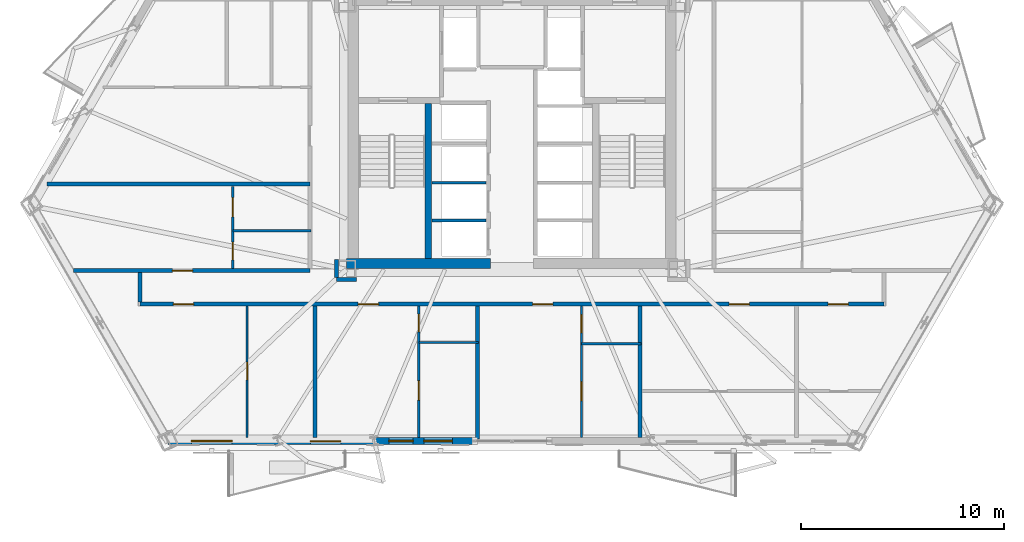
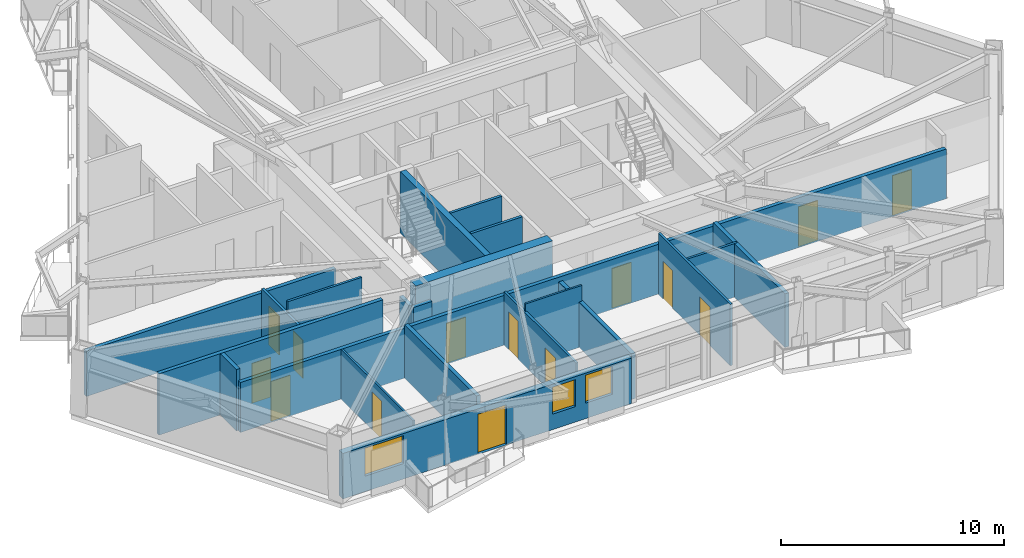
# One storey, part 9 of 17: 21 walls, 14 doors, 3 windows, 17 openings.
"""IFC4 building model written with IfcOpenShell, lengths in metres."""

from ifc_helpers import new_model, si_unit, direction, frame, frame_2d, origin, place, context, subcontext, project, spatial, rectangle, extrude, material, layer, layer_set, type_object, element, fill, save


model = new_model("IFC4")

# Units and contexts
model_context = context("Model", 3, precision=1e-05, world=origin(), true_north=direction((0.0, 1.0)))
body_context = subcontext(model_context, "Body", "Model", "MODEL_VIEW")
ifc_project = project(units=[si_unit("LENGTHUNIT", "METRE"), si_unit("AREAUNIT", "SQUARE_METRE"), si_unit("VOLUMEUNIT", "CUBIC_METRE"), si_unit("PLANEANGLEUNIT", "RADIAN"), si_unit("MASSUNIT", "GRAM", prefix="KILO")], contexts=[model_context])

# Site, building, storey
site_placement = place(None, origin())
site = spatial("IfcSite", under=ifc_project, at=site_placement, CompositionType="ELEMENT")
building_placement = place(site_placement, origin())
building = spatial("IfcBuilding", under=site, at=building_placement, Name="Oramaril Tower", CompositionType="ELEMENT")
storey_placement = place(building_placement, frame((0.0, 0.0, 70.5)))
storey = spatial("IfcBuildingStorey", under=building, at=storey_placement, Name="L18", CompositionType="ELEMENT", Elevation=70.5)

# Wall, openings, door, windows
ifc_material_1 = material(Name="Warm Cream Limestone", Category="masonry")
ifc_layer_1 = layer(ifc_material_1, 0.340087890625)
ifc_layer_set_1 = layer_set([ifc_layer_1], Name="WT-EXT34")
wall_type_1 = type_object("IfcWallType", Name="WT-EXT34", PredefinedType="SOLIDWALL", material=ifc_layer_set_1)
wall_1_placement = place(storey_placement, frame((20.57421875, 2.560546875, 0.0), z_axis=(0.0, 0.0, 1.0), x_axis=(1.0, 0.0, 0.0)))
wall_1 = element("IfcWall", 1, at=wall_1_placement, inside=storey, type_object=wall_type_1, Name="L18 Tower Limestone Facade Wall 2L", PredefinedType="SOLIDWALL", context=body_context, shape_type="SweptSolid", body=[
    extrude(rectangle(XDim=14.975830078125, YDim=0.340087890625, at=frame_2d((7.48779296875, 0.0))), origin(), (0.0, 0.0, 1.0), 2.493896484375),
])
opening_1_placement = place(wall_1_placement, frame((6.99951171875, 0.0, 0.0)))
opening_1 = element("IfcOpeningElement", 2, at=opening_1_placement, cuts=wall_1, Name="Opening D-L18-BAL-S1", PredefinedType="OPENING", context=body_context, shape_type="SweptSolid", body=[
    extrude(rectangle(XDim=1.5, YDim=2.199951171875, at=frame_2d((0.75, 1.10009765625))), frame((0.0, 0.169921875, 0.0), z_axis=(0.0, -1.0, 0.0), x_axis=(1.0, 0.0, 0.0)), (0.0, 0.0, 1.0), 0.340087890625),
])
opening_2_placement = place(wall_1_placement, frame((1.149169921875, 0.0, 0.85009765625)))
opening_2 = element("IfcOpeningElement", 3, at=opening_2_placement, cuts=wall_1, Name="Opening WN-05", PredefinedType="OPENING", context=body_context, shape_type="SweptSolid", body=[
    extrude(rectangle(XDim=2.0, YDim=1.533935546875, at=frame_2d((1.0, 0.76708984375))), frame((0.0, 0.169921875, 0.0), z_axis=(0.0, -1.0, 0.0), x_axis=(1.0, 0.0, 0.0)), (0.0, 0.0, 1.0), 0.340087890625),
])
opening_3_placement = place(wall_1_placement, frame((10.864990234375, 0.0, 0.85009765625)))
opening_3 = element("IfcOpeningElement", 4, at=opening_3_placement, cuts=wall_1, Name="Opening WN-09", PredefinedType="OPENING", context=body_context, shape_type="SweptSolid", body=[
    extrude(rectangle(XDim=1.199951171875, YDim=1.47998046875, at=frame_2d((0.60009765625, 0.739990234375))), frame((0.0, 0.169921875, 0.0), z_axis=(0.0, -1.0, 0.0), x_axis=(1.0, 0.0, 0.0)), (0.0, 0.0, 1.0), 0.340087890625),
])
opening_4_placement = place(wall_1_placement, frame((12.5927734375, 0.0, 0.85009765625)))
opening_4 = element("IfcOpeningElement", 5, at=opening_4_placement, cuts=wall_1, Name="Opening WN-08", PredefinedType="OPENING", context=body_context, shape_type="SweptSolid", body=[
    extrude(rectangle(XDim=1.39990234375, YDim=1.533935546875, at=frame_2d((0.699951171875, 0.76708984375))), frame((0.0, 0.169921875, 0.0), z_axis=(0.0, -1.0, 0.0), x_axis=(1.0, 0.0, 0.0)), (0.0, 0.0, 1.0), 0.340087890625),
])
ifc_material_2 = material(Name="Anodised Aluminium 6063-T6", Category="aluminium")
door_type_1 = type_object("IfcDoorType", Name="DT-BAL", OperationType="NOTDEFINED", PredefinedType="DOOR", material=ifc_material_2)
door_1_placement = place(opening_1_placement, origin())
door_1 = element("IfcDoor", 6, at=door_1_placement, inside=storey, type_object=door_type_1, Name="L18 Balcony Glazed Door L18-BAL-S1", OperationType="SINGLE_SWING_LEFT", OverallHeight=2.199951171875, OverallWidth=1.5, PredefinedType="DOOR", context=body_context, shape_type="SweptSolid", body=[
    extrude(rectangle(XDim=1.5, YDim=2.199951171875, at=frame_2d((0.75, 1.10009765625))), frame((0.0, 0.02490234375, 0.0), z_axis=(0.0, -1.0, 0.0), x_axis=(1.0, 0.0, 0.0)), (0.0, 0.0, 1.0), 0.050048828125),
])
fill(opening_1, door_1)
ifc_material_3 = material(Name="Coastal Low-E Insulated Glass", Category="glass")
window_type_1 = type_object("IfcWindowType", Name="WNT-05", PartitioningType="SINGLE_PANEL", PredefinedType="WINDOW", material=ifc_material_3)
window_1_placement = place(opening_2_placement, origin())
window_1 = element("IfcWindow", 7, at=window_1_placement, inside=storey, type_object=window_type_1, Name="L18 Chicago Bay Window WN-05", OverallHeight=1.533935546875, OverallWidth=2.0, PartitioningType="SINGLE_PANEL", PredefinedType="WINDOW", context=body_context, shape_type="SweptSolid", body=[
    extrude(rectangle(XDim=2.0, YDim=1.533935546875, at=frame_2d((1.0, 0.76708984375))), frame((0.0, 0.030029296875, 0.0), z_axis=(0.0, -1.0, 0.0), x_axis=(1.0, 0.0, 0.0)), (0.0, 0.0, 1.0), 0.06005859375),
])
fill(opening_2, window_1)
ifc_material_4 = material(Name="Coastal Low-E Insulated Glass", Category="glass")
window_type_2 = type_object("IfcWindowType", Name="WNT-08", PartitioningType="SINGLE_PANEL", PredefinedType="WINDOW", material=ifc_material_4)
window_2_placement = place(opening_4_placement, origin())
window_2 = element("IfcWindow", 8, at=window_2_placement, inside=storey, type_object=window_type_2, Name="L18 Chicago Bay Window WN-08", OverallHeight=1.533935546875, OverallWidth=1.39990234375, PartitioningType="SINGLE_PANEL", PredefinedType="WINDOW", context=body_context, shape_type="SweptSolid", body=[
    extrude(rectangle(XDim=1.39990234375, YDim=1.533935546875, at=frame_2d((0.699951171875, 0.76708984375))), frame((0.0, 0.030029296875, 0.0), z_axis=(0.0, -1.0, 0.0), x_axis=(1.0, 0.0, 0.0)), (0.0, 0.0, 1.0), 0.06005859375),
])
fill(opening_4, window_2)
ifc_material_5 = material(Name="Coastal Low-E Insulated Glass", Category="glass")
window_type_3 = type_object("IfcWindowType", Name="WNT-09", PartitioningType="SINGLE_PANEL", PredefinedType="WINDOW", material=ifc_material_5)
window_3_placement = place(opening_3_placement, origin())
window_3 = element("IfcWindow", 9, at=window_3_placement, inside=storey, type_object=window_type_3, Name="L18 Chicago Bay Window WN-09", OverallHeight=1.47998046875, OverallWidth=1.199951171875, PartitioningType="SINGLE_PANEL", PredefinedType="WINDOW", context=body_context, shape_type="SweptSolid", body=[
    extrude(rectangle(XDim=1.199951171875, YDim=1.47998046875, at=frame_2d((0.60009765625, 0.739990234375))), frame((0.0, 0.030029296875, 0.0), z_axis=(0.0, -1.0, 0.0), x_axis=(1.0, 0.0, 0.0)), (0.0, 0.0, 1.0), 0.06005859375),
])
fill(opening_3, window_3)

# Wall
ifc_material_6 = material(Name="Acoustic Gypsum Board Partition")
ifc_layer_2 = layer(ifc_material_6, 0.10009765625)
ifc_layer_set_2 = layer_set([ifc_layer_2], Name="WT-PT10")
wall_type_2 = type_object("IfcWallType", Name="WT-PT10", PredefinedType="PARTITIONING", material=ifc_layer_set_2)
wall_2_placement = place(storey_placement, frame((32.919921875, 7.409912109375, 0.0), z_axis=(0.0, 0.0, 1.0), x_axis=(1.0, 0.0, 0.0)))
element("IfcWall", 10, at=wall_2_placement, inside=storey, type_object=wall_type_2, Name="L18 Interior Partition PT-10", PredefinedType="PARTITIONING", context=body_context, shape_type="SweptSolid", body=[
    extrude(rectangle(XDim=2.93017578125, YDim=0.10009765625, at=frame_2d((1.465087890625, 0.0))), origin(), (0.0, 0.0, 1.0), 3.360107421875),
])

# Wall, opening, door
wall_3_placement = place(storey_placement, frame((24.469970703125, 2.734619140625, 0.0), z_axis=(0.0, 0.0, 1.0), x_axis=(0.0, 1.0, 0.0)))
wall_3 = element("IfcWall", 11, at=wall_3_placement, inside=storey, type_object=wall_type_2, Name="L18 Interior Partition PT-10", PredefinedType="PARTITIONING", context=body_context, shape_type="SweptSolid", body=[
    extrude(rectangle(XDim=6.46142578125, YDim=0.10009765625, at=frame_2d((3.230712890625, 0.0))), origin(), (0.0, 0.0, 1.0), 2.738037109375),
])
opening_5_placement = place(wall_3_placement, frame((2.830810546875, 0.0, 0.0)))
opening_5 = element("IfcOpeningElement", 12, at=opening_5_placement, cuts=wall_3, Name="Opening D-L18-20", PredefinedType="OPENING", context=body_context, shape_type="SweptSolid", body=[
    extrude(rectangle(XDim=0.8798828125, YDim=2.080078125, at=frame_2d((0.43994140625, 1.0400390625))), frame((0.0, 0.050048828125, 0.0), z_axis=(0.0, -1.0, 0.0), x_axis=(1.0, 0.0, 0.0)), (0.0, 0.0, 1.0), 0.10009765625),
])
ifc_material_7 = material(Name="FSC Brazilian Freijo Hardwood", Category="wood")
door_type_2 = type_object("IfcDoorType", Name="DT-BATH", OperationType="NOTDEFINED", PredefinedType="DOOR", material=ifc_material_7)
door_2_placement = place(opening_5_placement, origin())
door_2 = element("IfcDoor", 13, at=door_2_placement, inside=storey, type_object=door_type_2, Name="L18 Flat L18-U1 Bathroom Door D-L18-20", OperationType="SINGLE_SWING_LEFT", OverallHeight=2.080078125, OverallWidth=0.8798828125, PredefinedType="DOOR", context=body_context, shape_type="SweptSolid", body=[
    extrude(rectangle(XDim=0.8798828125, YDim=2.080078125, at=frame_2d((0.43994140625, 1.0400390625))), frame((0.0, 0.02490234375, 0.0), z_axis=(0.0, -1.0, 0.0), x_axis=(1.0, 0.0, 0.0)), (0.0, 0.0, 1.0), 0.050048828125),
])
fill(opening_5, door_2)

# Walls
ifc_material_8 = material(Name="Acoustic Gypsum Board Partition")
ifc_layer_3 = layer(ifc_material_8, 0.1201171875)
ifc_layer_set_3 = layer_set([ifc_layer_3], Name="WT-PT12")
wall_type_3 = type_object("IfcWallType", Name="WT-PT12", PredefinedType="PARTITIONING", material=ifc_layer_set_3)
wall_4_placement = place(storey_placement, frame((40.919921875, 7.340087890625, 0.0), z_axis=(0.0, 0.0, 1.0), x_axis=(1.0, 0.0, 0.0)))
element("IfcWall", 14, at=wall_4_placement, inside=storey, type_object=wall_type_3, Name="L18 Interior Partition PT-12", PredefinedType="PARTITIONING", context=body_context, shape_type="SweptSolid", body=[
    extrude(rectangle(XDim=2.93017578125, YDim=0.1201171875, at=frame_2d((1.465087890625, 0.0))), origin(), (0.0, 0.0, 1.0), 2.946044921875),
])
wall_5_placement = place(storey_placement, frame((23.76171875, 12.909912109375, 0.0), z_axis=(0.0, 0.0, 1.0), x_axis=(1.0, 0.0, 0.0)))
element("IfcWall", 15, at=wall_5_placement, inside=storey, type_object=wall_type_3, Name="L18 Interior Partition PT-12", PredefinedType="PARTITIONING", context=body_context, shape_type="SweptSolid", body=[
    extrude(rectangle(XDim=3.83837890625, YDim=0.1201171875, at=frame_2d((1.919189453125, 0.0))), origin(), (0.0, 0.0, 1.0), 3.360107421875),
])

# Wall, openings, doors
wall_6_placement = place(storey_placement, frame((32.919921875, 2.734619140625, 0.0), z_axis=(0.0, 0.0, 1.0), x_axis=(0.0, 1.0, 0.0)))
wall_6 = element("IfcWall", 16, at=wall_6_placement, inside=storey, type_object=wall_type_3, Name="L18 Interior Partition PT-12", PredefinedType="PARTITIONING", context=body_context, shape_type="SweptSolid", body=[
    extrude(rectangle(XDim=6.46142578125, YDim=0.1201171875, at=frame_2d((3.230712890625, 0.0))), origin(), (0.0, 0.0, 1.0), 2.946044921875),
])
opening_6_placement = place(wall_6_placement, frame((1.835693359375, 0.0, 0.0)))
opening_6 = element("IfcOpeningElement", 17, at=opening_6_placement, cuts=wall_6, Name="Opening D-L18-22", PredefinedType="OPENING", context=body_context, shape_type="SweptSolid", body=[
    extrude(rectangle(XDim=0.949951171875, YDim=2.10009765625, at=frame_2d((0.47509765625, 1.050048828125))), frame((0.0, 0.06005859375, 0.0), z_axis=(0.0, -1.0, 0.0), x_axis=(1.0, 0.0, 0.0)), (0.0, 0.0, 1.0), 0.1201171875),
])
opening_7_placement = place(wall_6_placement, frame((5.1953125, 0.0, 0.0)))
opening_7 = element("IfcOpeningElement", 18, at=opening_7_placement, cuts=wall_6, Name="Opening D-L18-23", PredefinedType="OPENING", context=body_context, shape_type="SweptSolid", body=[
    extrude(rectangle(XDim=0.8798828125, YDim=2.080078125, at=frame_2d((0.43994140625, 1.0400390625))), frame((0.0, 0.06005859375, 0.0), z_axis=(0.0, -1.0, 0.0), x_axis=(1.0, 0.0, 0.0)), (0.0, 0.0, 1.0), 0.1201171875),
])
door_3_placement = place(opening_7_placement, origin())
door_3 = element("IfcDoor", 19, at=door_3_placement, inside=storey, type_object=door_type_2, Name="L18 Flat L18-U2 Bathroom Door D-L18-23", OperationType="SINGLE_SWING_RIGHT", OverallHeight=2.080078125, OverallWidth=0.8798828125, PredefinedType="DOOR", context=body_context, shape_type="SweptSolid", body=[
    extrude(rectangle(XDim=0.8798828125, YDim=2.080078125, at=frame_2d((0.43994140625, 1.0400390625))), frame((0.0, 0.02490234375, 0.0), z_axis=(0.0, -1.0, 0.0), x_axis=(1.0, 0.0, 0.0)), (0.0, 0.0, 1.0), 0.050048828125),
])
fill(opening_7, door_3)
ifc_material_9 = material(Name="FSC Brazilian Freijo Hardwood", Category="wood")
door_type_3 = type_object("IfcDoorType", Name="DT-STDY", OperationType="NOTDEFINED", PredefinedType="DOOR", material=ifc_material_9)
door_4_placement = place(opening_6_placement, origin())
door_4 = element("IfcDoor", 20, at=door_4_placement, inside=storey, type_object=door_type_3, Name="L18 Flat L18-U2 Kitchen Door D-L18-22", OperationType="SINGLE_SWING_LEFT", OverallHeight=2.10009765625, OverallWidth=0.949951171875, PredefinedType="DOOR", context=body_context, shape_type="SweptSolid", body=[
    extrude(rectangle(XDim=0.949951171875, YDim=2.10009765625, at=frame_2d((0.47509765625, 1.050048828125))), frame((0.0, 0.02490234375, 0.0), z_axis=(0.0, -1.0, 0.0), x_axis=(1.0, 0.0, 0.0)), (0.0, 0.0, 1.0), 0.050048828125),
])
fill(opening_6, door_4)

wall_7_placement = place(storey_placement, frame((40.919921875, 2.734619140625, 0.0), z_axis=(0.0, 0.0, 1.0), x_axis=(0.0, 1.0, 0.0)))
wall_7 = element("IfcWall", 21, at=wall_7_placement, inside=storey, type_object=wall_type_3, Name="L18 Interior Partition PT-12", PredefinedType="PARTITIONING", context=body_context, shape_type="SweptSolid", body=[
    extrude(rectangle(XDim=6.46142578125, YDim=0.1201171875, at=frame_2d((3.230712890625, 0.0))), origin(), (0.0, 0.0, 1.0), 3.360107421875),
])
opening_8_placement = place(wall_7_placement, frame((1.800537109375, 0.0, 0.0)))
opening_8 = element("IfcOpeningElement", 22, at=opening_8_placement, cuts=wall_7, Name="Opening D-L18-30", PredefinedType="OPENING", context=body_context, shape_type="SweptSolid", body=[
    extrude(rectangle(XDim=0.949951171875, YDim=2.10009765625, at=frame_2d((0.47509765625, 1.050048828125))), frame((0.0, 0.06005859375, 0.0), z_axis=(0.0, -1.0, 0.0), x_axis=(1.0, 0.0, 0.0)), (0.0, 0.0, 1.0), 0.1201171875),
])
opening_9_placement = place(wall_7_placement, frame((5.160400390625, 0.0, 0.0)))
opening_9 = element("IfcOpeningElement", 23, at=opening_9_placement, cuts=wall_7, Name="Opening D-L18-31", PredefinedType="OPENING", context=body_context, shape_type="SweptSolid", body=[
    extrude(rectangle(XDim=0.8798828125, YDim=2.080078125, at=frame_2d((0.43994140625, 1.0400390625))), frame((0.0, 0.06005859375, 0.0), z_axis=(0.0, -1.0, 0.0), x_axis=(1.0, 0.0, 0.0)), (0.0, 0.0, 1.0), 0.1201171875),
])
door_5_placement = place(opening_9_placement, origin())
door_5 = element("IfcDoor", 24, at=door_5_placement, inside=storey, type_object=door_type_2, Name="L18 Flat L18-U3 Bathroom Door D-L18-31", OperationType="SINGLE_SWING_RIGHT", OverallHeight=2.080078125, OverallWidth=0.8798828125, PredefinedType="DOOR", context=body_context, shape_type="SweptSolid", body=[
    extrude(rectangle(XDim=0.8798828125, YDim=2.080078125, at=frame_2d((0.43994140625, 1.0400390625))), frame((0.0, 0.02490234375, 0.0), z_axis=(0.0, -1.0, 0.0), x_axis=(1.0, 0.0, 0.0)), (0.0, 0.0, 1.0), 0.050048828125),
])
fill(opening_9, door_5)
door_6_placement = place(opening_8_placement, origin())
door_6 = element("IfcDoor", 25, at=door_6_placement, inside=storey, type_object=door_type_3, Name="L18 Flat L18-U3 Kitchen Door D-L18-30", OperationType="SINGLE_SWING_LEFT", OverallHeight=2.10009765625, OverallWidth=0.949951171875, PredefinedType="DOOR", context=body_context, shape_type="SweptSolid", body=[
    extrude(rectangle(XDim=0.949951171875, YDim=2.10009765625, at=frame_2d((0.47509765625, 1.050048828125))), frame((0.0, 0.02490234375, 0.0), z_axis=(0.0, -1.0, 0.0), x_axis=(1.0, 0.0, 0.0)), (0.0, 0.0, 1.0), 0.050048828125),
])
fill(opening_8, door_6)

# Walls
ifc_material_10 = material(Name="Acoustic Gypsum Board Partition")
ifc_layer_4 = layer(ifc_material_10, 0.139892578125)
ifc_layer_set_4 = layer_set([ifc_layer_4], Name="WT-PT14")
wall_type_4 = type_object("IfcWallType", Name="WT-PT14", PredefinedType="PARTITIONING", material=ifc_layer_set_4)
for number, where, z_axis, x_axis, name in (
    (26, (33.56005859375, 13.419921875, 0.0), (0.0, 0.0, 1.0), (1.0, 0.0, 0.0), "L18 West Lift Divider"),
    (27, (33.56005859375, 15.27001953125, 0.0), (0.0, 0.0, 1.0), (1.0, 0.0, 0.0), "L18 West Lift Divider"),
):
    element("IfcWall", number, at=place(storey_placement, frame(where, z_axis=z_axis, x_axis=x_axis)), inside=storey, type_object=wall_type_4, Name=name, PredefinedType="PARTITIONING", context=body_context, shape_type="SweptSolid", body=[
        extrude(rectangle(XDim=2.659912109375, YDim=0.139892578125, at=frame_2d((1.330078125, 0.0))), origin(), (0.0, 0.0, 1.0), 3.360107421875),
    ])

# Wall, openings, doors
wall_8_placement = place(storey_placement, frame((23.760009765625, 11.053955078125, 0.0), z_axis=(0.0, 0.0, 1.0), x_axis=(0.0, 1.0, 0.0)))
wall_8 = element("IfcWall", 28, at=wall_8_placement, inside=storey, type_object=wall_type_4, Name="L18 Interior Partition PT-14", PredefinedType="PARTITIONING", context=body_context, shape_type="SweptSolid", body=[
    extrude(rectangle(XDim=4.0419921875, YDim=0.139892578125, at=frame_2d((2.02099609375, 0.0))), origin(), (0.0, 0.0, 1.0), 2.738037109375),
])
opening_10_placement = place(wall_8_placement, frame((0.419189453125, 0.0, 0.0)))
opening_10 = element("IfcOpeningElement", 29, at=opening_10_placement, cuts=wall_8, Name="Opening D-L18-16", PredefinedType="OPENING", context=body_context, shape_type="SweptSolid", body=[
    extrude(rectangle(XDim=0.8798828125, YDim=2.080078125, at=frame_2d((0.43994140625, 1.0400390625))), frame((0.0, 0.06982421875, 0.0), z_axis=(0.0, -1.0, 0.0), x_axis=(1.0, 0.0, 0.0)), (0.0, 0.0, 1.0), 0.139892578125),
])
opening_11_placement = place(wall_8_placement, frame((2.539306640625, 0.0, 0.0)))
opening_11 = element("IfcOpeningElement", 30, at=opening_11_placement, cuts=wall_8, Name="Opening D-L18-17", PredefinedType="OPENING", context=body_context, shape_type="SweptSolid", body=[
    extrude(rectangle(XDim=0.949951171875, YDim=2.10009765625, at=frame_2d((0.47509765625, 1.050048828125))), frame((0.0, 0.06982421875, 0.0), z_axis=(0.0, -1.0, 0.0), x_axis=(1.0, 0.0, 0.0)), (0.0, 0.0, 1.0), 0.139892578125),
])
door_7_placement = place(opening_10_placement, origin())
door_7 = element("IfcDoor", 31, at=door_7_placement, inside=storey, type_object=door_type_2, Name="L18 Flat L18-U6 Bathroom Door D-L18-16", OperationType="SINGLE_SWING_LEFT", OverallHeight=2.080078125, OverallWidth=0.8798828125, PredefinedType="DOOR", context=body_context, shape_type="SweptSolid", body=[
    extrude(rectangle(XDim=0.8798828125, YDim=2.080078125, at=frame_2d((0.43994140625, 1.0400390625))), frame((0.0, 0.02490234375, 0.0), z_axis=(0.0, -1.0, 0.0), x_axis=(1.0, 0.0, 0.0)), (0.0, 0.0, 1.0), 0.050048828125),
])
fill(opening_10, door_7)
door_8_placement = place(opening_11_placement, origin())
door_8 = element("IfcDoor", 32, at=door_8_placement, inside=storey, type_object=door_type_3, Name="L18 Flat L18-U6 Kitchen Door D-L18-17", OperationType="SINGLE_SWING_RIGHT", OverallHeight=2.10009765625, OverallWidth=0.949951171875, PredefinedType="DOOR", context=body_context, shape_type="SweptSolid", body=[
    extrude(rectangle(XDim=0.949951171875, YDim=2.10009765625, at=frame_2d((0.47509765625, 1.050048828125))), frame((0.0, 0.02490234375, 0.0), z_axis=(0.0, -1.0, 0.0), x_axis=(1.0, 0.0, 0.0)), (0.0, 0.0, 1.0), 0.050048828125),
])
fill(opening_11, door_8)

ifc_material_11 = material(Name="Autoclaved Cellular Concrete Block", Category="concrete")
ifc_layer_5 = layer(ifc_material_11, 0.199951171875)
ifc_layer_set_5 = layer_set([ifc_layer_5], Name="WT-PT20")
wall_type_5 = type_object("IfcWallType", Name="WT-PT20", PredefinedType="PARTITIONING", material=ifc_layer_set_5)
wall_9_placement = place(storey_placement, frame((19.199951171875, 9.300048828125, 0.0), z_axis=(0.0, 0.0, 1.0), x_axis=(1.0, 0.0, 0.0)))
wall_9 = element("IfcWall", 33, at=wall_9_placement, inside=storey, type_object=wall_type_5, Name="L18 Interior Partition PT-20", PredefinedType="PARTITIONING", context=body_context, shape_type="SweptSolid", body=[
    extrude(rectangle(XDim=36.60009765625, YDim=0.199951171875, at=frame_2d((18.300048828125, 0.0))), origin(), (0.0, 0.0, 1.0), 2.738037109375),
])
opening_12_placement = place(wall_9_placement, frame((1.633056640625, 0.0, 0.0)))
opening_12 = element("IfcOpeningElement", 34, at=opening_12_placement, cuts=wall_9, Name="Opening D-L18-03", PredefinedType="OPENING", context=body_context, shape_type="SweptSolid", body=[
    extrude(rectangle(XDim=1.0, YDim=2.179931640625, at=frame_2d((0.5, 1.08984375))), frame((0.0, 0.10009765625, 0.0), z_axis=(0.0, -1.0, 0.0), x_axis=(1.0, 0.0, 0.0)), (0.0, 0.0, 1.0), 0.199951171875),
])
opening_13_placement = place(wall_9_placement, frame((10.732666015625, 0.0, 0.0)))
opening_13 = element("IfcOpeningElement", 35, at=opening_13_placement, cuts=wall_9, Name="Opening D-L18-04", PredefinedType="OPENING", context=body_context, shape_type="SweptSolid", body=[
    extrude(rectangle(XDim=1.0, YDim=2.179931640625, at=frame_2d((0.5, 1.08984375))), frame((0.0, 0.10009765625, 0.0), z_axis=(0.0, -1.0, 0.0), x_axis=(1.0, 0.0, 0.0)), (0.0, 0.0, 1.0), 0.199951171875),
])
opening_14_placement = place(wall_9_placement, frame((19.31396484375, 0.0, 0.0)))
opening_14 = element("IfcOpeningElement", 36, at=opening_14_placement, cuts=wall_9, Name="Opening D-L18-05", PredefinedType="OPENING", context=body_context, shape_type="SweptSolid", body=[
    extrude(rectangle(XDim=1.0, YDim=2.179931640625, at=frame_2d((0.5, 1.08984375))), frame((0.0, 0.10009765625, 0.0), z_axis=(0.0, -1.0, 0.0), x_axis=(1.0, 0.0, 0.0)), (0.0, 0.0, 1.0), 0.199951171875),
])
opening_15_placement = place(wall_9_placement, frame((28.984619140625, 0.0, 0.0)))
opening_15 = element("IfcOpeningElement", 37, at=opening_15_placement, cuts=wall_9, Name="Opening D-L18-06", PredefinedType="OPENING", context=body_context, shape_type="SweptSolid", body=[
    extrude(rectangle(XDim=1.0, YDim=2.179931640625, at=frame_2d((0.5, 1.08984375))), frame((0.0, 0.10009765625, 0.0), z_axis=(0.0, -1.0, 0.0), x_axis=(1.0, 0.0, 0.0)), (0.0, 0.0, 1.0), 0.199951171875),
])
opening_16_placement = place(wall_9_placement, frame((33.856201171875, 0.0, 0.0)))
opening_16 = element("IfcOpeningElement", 38, at=opening_16_placement, cuts=wall_9, Name="Opening D-L18-07", PredefinedType="OPENING", context=body_context, shape_type="SweptSolid", body=[
    extrude(rectangle(XDim=1.0, YDim=2.179931640625, at=frame_2d((0.5, 1.08984375))), frame((0.0, 0.10009765625, 0.0), z_axis=(0.0, -1.0, 0.0), x_axis=(1.0, 0.0, 0.0)), (0.0, 0.0, 1.0), 0.199951171875),
])
ifc_material_12 = material(Name="FSC Brazilian Freijo Hardwood", Category="wood")
door_type_4 = type_object("IfcDoorType", Name="DT-APT", OperationType="NOTDEFINED", PredefinedType="DOOR", material=ifc_material_12)
door_9_placement = place(opening_12_placement, origin())
door_9 = element("IfcDoor", 39, at=door_9_placement, inside=storey, type_object=door_type_4, Name="L18 Flat L18-U1 Kitchen and Studio Apartment Door D-L18-03", OperationType="SINGLE_SWING_RIGHT", OverallHeight=2.179931640625, OverallWidth=1.0, PredefinedType="DOOR", context=body_context, shape_type="SweptSolid", body=[
    extrude(rectangle(XDim=1.0, YDim=2.179931640625, at=frame_2d((0.5, 1.08984375))), frame((0.0, 0.02490234375, 0.0), z_axis=(0.0, -1.0, 0.0), x_axis=(1.0, 0.0, 0.0)), (0.0, 0.0, 1.0), 0.050048828125),
])
fill(opening_12, door_9)
door_10_placement = place(opening_13_placement, origin())
door_10 = element("IfcDoor", 40, at=door_10_placement, inside=storey, type_object=door_type_4, Name="L18 Flat L18-U2 Studio Apartment Door D-L18-04", OperationType="SINGLE_SWING_LEFT", OverallHeight=2.179931640625, OverallWidth=1.0, PredefinedType="DOOR", context=body_context, shape_type="SweptSolid", body=[
    extrude(rectangle(XDim=1.0, YDim=2.179931640625, at=frame_2d((0.5, 1.08984375))), frame((0.0, 0.02490234375, 0.0), z_axis=(0.0, -1.0, 0.0), x_axis=(1.0, 0.0, 0.0)), (0.0, 0.0, 1.0), 0.050048828125),
])
fill(opening_13, door_10)
door_11_placement = place(opening_14_placement, origin())
door_11 = element("IfcDoor", 41, at=door_11_placement, inside=storey, type_object=door_type_4, Name="L18 Flat L18-U3 Studio Apartment Door D-L18-05", OperationType="SINGLE_SWING_RIGHT", OverallHeight=2.179931640625, OverallWidth=1.0, PredefinedType="DOOR", context=body_context, shape_type="SweptSolid", body=[
    extrude(rectangle(XDim=1.0, YDim=2.179931640625, at=frame_2d((0.5, 1.08984375))), frame((0.0, 0.02490234375, 0.0), z_axis=(0.0, -1.0, 0.0), x_axis=(1.0, 0.0, 0.0)), (0.0, 0.0, 1.0), 0.050048828125),
])
fill(opening_14, door_11)
door_12_placement = place(opening_15_placement, origin())
door_12 = element("IfcDoor", 42, at=door_12_placement, inside=storey, type_object=door_type_4, Name="L18 Flat L18-U4 Kitchen and Studio Apartment Door D-L18-06", OperationType="SINGLE_SWING_LEFT", OverallHeight=2.179931640625, OverallWidth=1.0, PredefinedType="DOOR", context=body_context, shape_type="SweptSolid", body=[
    extrude(rectangle(XDim=1.0, YDim=2.179931640625, at=frame_2d((0.5, 1.08984375))), frame((0.0, 0.02490234375, 0.0), z_axis=(0.0, -1.0, 0.0), x_axis=(1.0, 0.0, 0.0)), (0.0, 0.0, 1.0), 0.050048828125),
])
fill(opening_15, door_12)
door_13_placement = place(opening_16_placement, origin())
door_13 = element("IfcDoor", 43, at=door_13_placement, inside=storey, type_object=door_type_4, Name="L18 Flat L18-U5 Kitchen and Studio Apartment Door D-L18-07", OperationType="SINGLE_SWING_RIGHT", OverallHeight=2.179931640625, OverallWidth=1.0, PredefinedType="DOOR", context=body_context, shape_type="SweptSolid", body=[
    extrude(rectangle(XDim=1.0, YDim=2.179931640625, at=frame_2d((0.5, 1.08984375))), frame((0.0, 0.02490234375, 0.0), z_axis=(0.0, -1.0, 0.0), x_axis=(1.0, 0.0, 0.0)), (0.0, 0.0, 1.0), 0.050048828125),
])
fill(opening_16, door_13)

# Wall
wall_10_placement = place(storey_placement, frame((28.860107421875, 10.510009765625, 0.0), z_axis=(0.0, 0.0, 1.0), x_axis=(1.0, 0.0, 0.0)))
element("IfcWall", 44, at=wall_10_placement, inside=storey, type_object=wall_type_5, Name="L18 Interior Partition PT-20", PredefinedType="PARTITIONING", context=body_context, shape_type="SweptSolid", body=[
    extrude(rectangle(XDim=0.97998046875, YDim=0.199951171875, at=frame_2d((0.489990234375, 0.0))), origin(), (0.0, 0.0, 1.0), 2.738037109375),
])

# Wall, opening, door
wall_11_placement = place(storey_placement, frame((15.931640625, 10.949951171875, 0.0), z_axis=(0.0, 0.0, 1.0), x_axis=(1.0, 0.0, 0.0)))
wall_11 = element("IfcWall", 45, at=wall_11_placement, inside=storey, type_object=wall_type_5, Name="L18 Interior Partition PT-20", PredefinedType="PARTITIONING", context=body_context, shape_type="SweptSolid", body=[
    extrude(rectangle(XDim=11.618408203125, YDim=0.199951171875, at=frame_2d((5.80908203125, 0.0))), origin(), (0.0, 0.0, 1.0), 3.360107421875),
])
opening_17_placement = place(wall_11_placement, frame((4.853515625, 0.0, 0.0)))
opening_17 = element("IfcOpeningElement", 46, at=opening_17_placement, cuts=wall_11, Name="Opening D-L18-08", PredefinedType="OPENING", context=body_context, shape_type="SweptSolid", body=[
    extrude(rectangle(XDim=1.0, YDim=2.179931640625, at=frame_2d((0.5, 1.08984375))), frame((0.0, 0.10009765625, 0.0), z_axis=(0.0, -1.0, 0.0), x_axis=(1.0, 0.0, 0.0)), (0.0, 0.0, 1.0), 0.199951171875),
])
door_14_placement = place(opening_17_placement, origin())
door_14 = element("IfcDoor", 47, at=door_14_placement, inside=storey, type_object=door_type_4, Name="L18 Flat L18-U6 Studio Apartment Door D-L18-08", OperationType="SINGLE_SWING_LEFT", OverallHeight=2.179931640625, OverallWidth=1.0, PredefinedType="DOOR", context=body_context, shape_type="SweptSolid", body=[
    extrude(rectangle(XDim=1.0, YDim=2.179931640625, at=frame_2d((0.5, 1.08984375))), frame((0.0, 0.02490234375, 0.0), z_axis=(0.0, -1.0, 0.0), x_axis=(1.0, 0.0, 0.0)), (0.0, 0.0, 1.0), 0.050048828125),
])
fill(opening_17, door_14)

# Walls
wall_12_placement = place(storey_placement, frame((14.619140625, 15.199951171875, 0.0), z_axis=(0.0, 0.0, 1.0), x_axis=(1.0, 0.0, 0.0)))
element("IfcWall", 48, at=wall_12_placement, inside=storey, type_object=wall_type_5, Name="L18 Interior Partition PT-20", PredefinedType="PARTITIONING", context=body_context, shape_type="SweptSolid", body=[
    extrude(rectangle(XDim=12.930908203125, YDim=0.199951171875, at=frame_2d((6.46533203125, 0.0))), origin(), (0.0, 0.0, 1.0), 2.493896484375),
])
wall_13_placement = place(storey_placement, frame((19.199951171875, 9.404052734375, 0.0), z_axis=(0.0, 0.0, 1.0), x_axis=(0.0, 1.0, 0.0)))
element("IfcWall", 49, at=wall_13_placement, inside=storey, type_object=wall_type_5, Name="L18 Interior Partition PT-20", PredefinedType="PARTITIONING", context=body_context, shape_type="SweptSolid", body=[
    extrude(rectangle(XDim=1.44189453125, YDim=0.199951171875, at=frame_2d((0.720947265625, 0.0))), origin(), (0.0, 0.0, 1.0), 3.360107421875),
])
wall_14_placement = place(storey_placement, frame((27.800048828125, 2.734619140625, 0.0), z_axis=(0.0, 0.0, 1.0), x_axis=(0.0, 1.0, 0.0)))
element("IfcWall", 50, at=wall_14_placement, inside=storey, type_object=wall_type_5, Name="L18 Interior Partition PT-20", PredefinedType="PARTITIONING", context=body_context, shape_type="SweptSolid", body=[
    extrude(rectangle(XDim=6.46142578125, YDim=0.199951171875, at=frame_2d((3.230712890625, 0.0))), origin(), (0.0, 0.0, 1.0), 2.946044921875),
])
wall_15_placement = place(storey_placement, frame((28.860107421875, 10.614013671875, 0.0), z_axis=(0.0, 0.0, 1.0), x_axis=(0.0, 1.0, 0.0)))
element("IfcWall", 51, at=wall_15_placement, inside=storey, type_object=wall_type_5, Name="L18 Interior Partition PT-20", PredefinedType="PARTITIONING", context=body_context, shape_type="SweptSolid", body=[
    extrude(rectangle(XDim=0.881103515625, YDim=0.199951171875, at=frame_2d((0.4404296875, 0.0))), origin(), (0.0, 0.0, 1.0), 2.738037109375),
])
wall_16_placement = place(storey_placement, frame((35.800048828125, 2.654541015625, 0.0), z_axis=(0.0, 0.0, 1.0), x_axis=(0.0, 1.0, 0.0)))
element("IfcWall", 52, at=wall_16_placement, inside=storey, type_object=wall_type_5, Name="L18 Interior Partition PT-20", PredefinedType="PARTITIONING", context=body_context, shape_type="SweptSolid", body=[
    extrude(rectangle(XDim=6.54150390625, YDim=0.199951171875, at=frame_2d((3.270751953125, 0.0))), origin(), (0.0, 0.0, 1.0), 2.493896484375),
])
wall_17_placement = place(storey_placement, frame((43.800048828125, 2.734619140625, 0.0), z_axis=(0.0, 0.0, 1.0), x_axis=(0.0, 1.0, 0.0)))
element("IfcWall", 53, at=wall_17_placement, inside=storey, type_object=wall_type_5, Name="L18 Interior Partition PT-20", PredefinedType="PARTITIONING", context=body_context, shape_type="SweptSolid", body=[
    extrude(rectangle(XDim=6.46142578125, YDim=0.199951171875, at=frame_2d((3.230712890625, 0.0))), origin(), (0.0, 0.0, 1.0), 2.946044921875),
])
ifc_material_13 = material(Name="Concrete C50/60", Category="concrete")
ifc_layer_6 = layer(ifc_material_13, 0.300048828125)
ifc_layer_set_6 = layer_set([ifc_layer_6], Name="WT-SH30")
wall_type_6 = type_object("IfcWallType", Name="WT-SH30", PredefinedType="SHEAR", material=ifc_layer_set_6)
wall_18_placement = place(storey_placement, frame((33.3798828125, 11.5400390625, 0.0), z_axis=(0.0, 0.0, 1.0), x_axis=(0.0, 1.0, 0.0)))
element("IfcWall", 54, at=wall_18_placement, inside=storey, type_object=wall_type_6, Name="L18 Core Shear Wall CW-ST1E", PredefinedType="SHEAR", context=body_context, shape_type="SweptSolid", body=[
    extrude(rectangle(XDim=7.619873046875, YDim=0.300048828125, at=frame_2d((3.81005859375, 0.0))), origin(), (0.0, 0.0, 1.0), 3.360107421875),
])
ifc_material_14 = material(Name="Concrete C50/60", Category="concrete")
ifc_layer_7 = layer(ifc_material_14, 0.5)
ifc_layer_set_7 = layer_set([ifc_layer_7], Name="WT-SH50")
wall_type_7 = type_object("IfcWallType", Name="WT-SH50", PredefinedType="SHEAR", material=ifc_layer_set_7)
wall_19_placement = place(storey_placement, frame((29.35009765625, 11.2900390625, 0.0), z_axis=(0.0, 0.0, 1.0), x_axis=(1.0, 0.0, 0.0)))
element("IfcWall", 55, at=wall_19_placement, inside=storey, type_object=wall_type_7, Name="L18 Core Shear Wall CW-SW", PredefinedType="SHEAR", context=body_context, shape_type="SweptSolid", body=[
    extrude(rectangle(XDim=7.099853515625, YDim=0.5, at=frame_2d((3.5498046875, 0.0))), origin(), (0.0, 0.0, 1.0), 3.360107421875),
])

save(model, "model.ifc")
